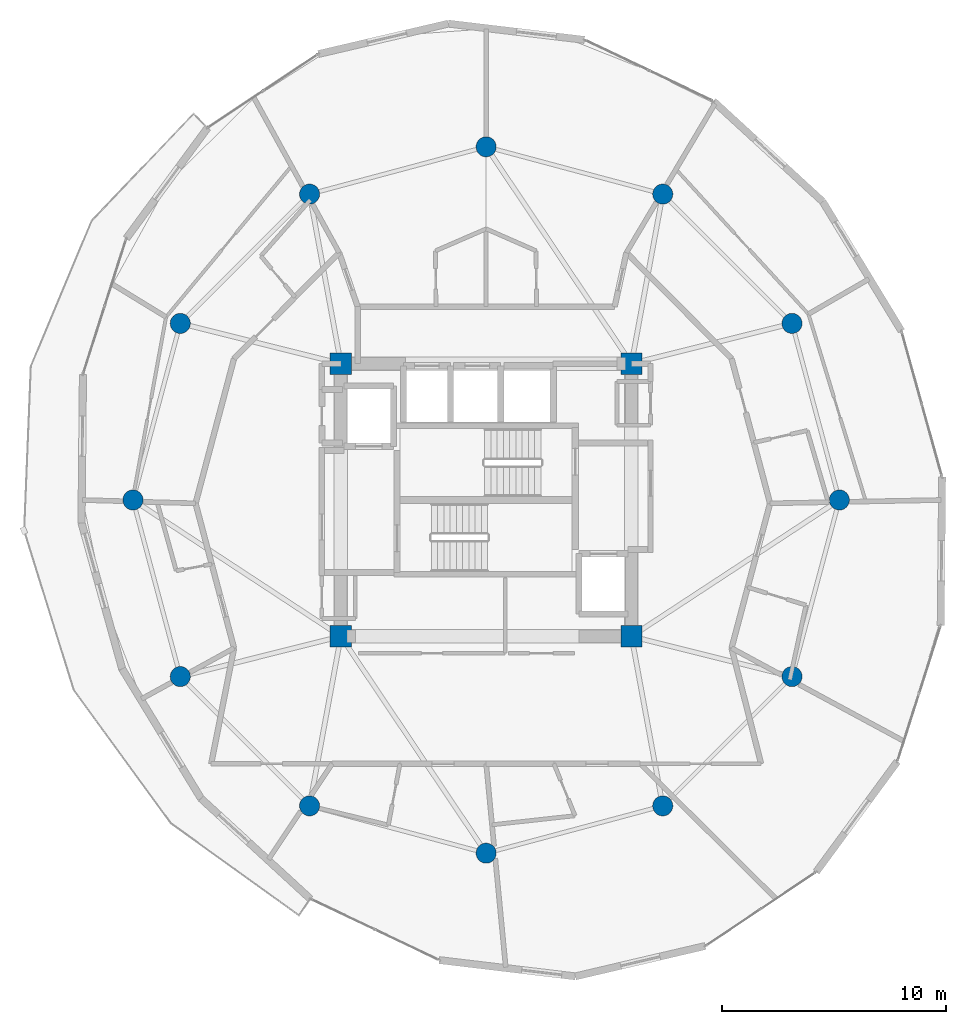
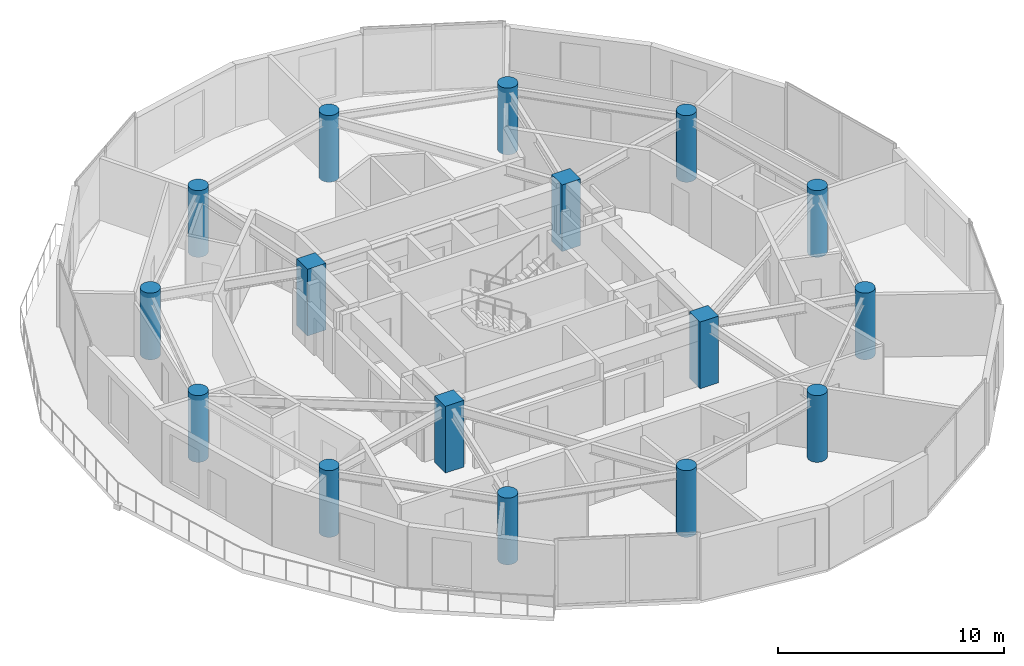
# One storey, part 1 of 20: 16 columns.
"""IFC4 building model written with IfcOpenShell, lengths in metres."""

from ifc_helpers import new_model, si_unit, direction, frame, origin, origin_2d, place, context, subcontext, project, spatial, rectangle, circle, extrude, material, material_profile, profile_set, type_object, element, save


model = new_model("IFC4")

# Units and contexts
model_context = context("Model", 3, precision=1e-05, world=origin(), true_north=direction((0.0, 1.0)))
body_context = subcontext(model_context, "Body", "Model", "MODEL_VIEW")
ifc_project = project(units=[si_unit("LENGTHUNIT", "METRE"), si_unit("AREAUNIT", "SQUARE_METRE"), si_unit("VOLUMEUNIT", "CUBIC_METRE"), si_unit("PLANEANGLEUNIT", "RADIAN"), si_unit("MASSUNIT", "GRAM", prefix="KILO")], contexts=[model_context])

# Site, building, storey
site_placement = place(None, origin())
site = spatial("IfcSite", under=ifc_project, at=site_placement, CompositionType="ELEMENT")
building_placement = place(site_placement, origin())
building = spatial("IfcBuilding", under=site, at=building_placement, Name="Solvirekh Grand Hotel", CompositionType="ELEMENT")
storey_placement = place(building_placement, frame((0.0, 0.0, 209.199951171875)))
storey = spatial("IfcBuildingStorey", under=building, at=storey_placement, Name="L54", CompositionType="ELEMENT", Elevation=209.199951171875)

# Columns
ifc_material = material(Name="Concrete C50/60", Category="concrete")
ifc_material_profile_1 = material_profile(ifc_material, rectangle(XDim=0.949951171875, YDim=0.949951171875, at=origin_2d()), Name="RC 950X950")
ifc_profile_set_1 = profile_set([ifc_material_profile_1], Name="Concrete C50/60")
column_type_1 = type_object("IfcColumnType", Name="Col_Core_950", PredefinedType="COLUMN", material=ifc_profile_set_1)
for number, where, z_axis, x_axis, name in (
    (1, (-6.5, -6.10009765625, 0.0), (0.0, 0.0, 1.0), (1.0, 0.0, 0.0), "L54 core corner column CC1"),
    (2, (6.5, -6.10009765625, 0.0), (0.0, 0.0, 1.0), (1.0, 0.0, 0.0), "L54 core corner column CC2"),
    (3, (6.5, 6.10009765625, 0.0), (0.0, 0.0, 1.0), (1.0, 0.0, 0.0), "L54 core corner column CC3"),
    (4, (-6.5, 6.10009765625, 0.0), (0.0, 0.0, 1.0), (1.0, 0.0, 0.0), "L54 core corner column CC4"),
):
    element("IfcColumn", number, at=place(storey_placement, frame(where, z_axis=z_axis, x_axis=x_axis)), inside=storey, type_object=column_type_1, Name=name, PredefinedType="COLUMN", context=body_context, shape_type="SweptSolid", body=[
        extrude(rectangle(XDim=0.949951171875, YDim=0.949951171875, at=origin_2d()), origin(), (0.0, 0.0, 1.0), 3.60009765625),
    ])
ifc_material_profile_2 = material_profile(ifc_material, circle(Radius=0.449951171875, at=origin_2d()), Name="RC CIRC D900")
ifc_profile_set_2 = profile_set([ifc_material_profile_2], Name="Concrete C50/60")
column_type_2 = type_object("IfcColumnType", Name="Col_Z3_D900", PredefinedType="COLUMN", material=ifc_profile_set_2)
for number, where, z_axis, x_axis, name in (
    (5, (15.800048828125, 0.0, 0.0), (0.0, 0.0, 1.0), (1.0, 0.0, 0.0), "L54 perimeter column P01"),
    (6, (13.68310546875, 7.89990234375, 0.0), (0.0, 0.0, 1.0), (1.0, 0.0, 0.0), "L54 perimeter column P02"),
    (7, (7.89990234375, 13.68310546875, 0.0), (0.0, 0.0, 1.0), (1.0, 0.0, 0.0), "L54 perimeter column P03"),
    (8, (0.0, 15.800048828125, 0.0), (0.0, 0.0, 1.0), (1.0, 0.0, 0.0), "L54 perimeter column P04"),
    (9, (-7.89990234375, 13.68310546875, 0.0), (0.0, 0.0, 1.0), (1.0, 0.0, 0.0), "L54 perimeter column P05"),
    (10, (-13.68310546875, 7.89990234375, 0.0), (0.0, 0.0, 1.0), (1.0, 0.0, 0.0), "L54 perimeter column P06"),
    (11, (-15.800048828125, 0.0, 0.0), (0.0, 0.0, 1.0), (1.0, 0.0, 0.0), "L54 perimeter column P07"),
    (12, (-13.68310546875, -7.89990234375, 0.0), (0.0, 0.0, 1.0), (1.0, 0.0, 0.0), "L54 perimeter column P08"),
    (13, (-7.89990234375, -13.68310546875, 0.0), (0.0, 0.0, 1.0), (1.0, 0.0, 0.0), "L54 perimeter column P09"),
    (14, (0.0, -15.800048828125, 0.0), (0.0, 0.0, 1.0), (1.0, 0.0, 0.0), "L54 perimeter column P10"),
    (15, (7.89990234375, -13.68310546875, 0.0), (0.0, 0.0, 1.0), (1.0, 0.0, 0.0), "L54 perimeter column P11"),
    (16, (13.68310546875, -7.89990234375, 0.0), (0.0, 0.0, 1.0), (1.0, 0.0, 0.0), "L54 perimeter column P12"),
):
    element("IfcColumn", number, at=place(storey_placement, frame(where, z_axis=z_axis, x_axis=x_axis)), inside=storey, type_object=column_type_2, Name=name, PredefinedType="COLUMN", context=body_context, shape_type="SweptSolid", body=[
        extrude(circle(Radius=0.449951171875, at=origin_2d()), origin(), (0.0, 0.0, 1.0), 3.60009765625),
    ])

save(model, "model.ifc")
